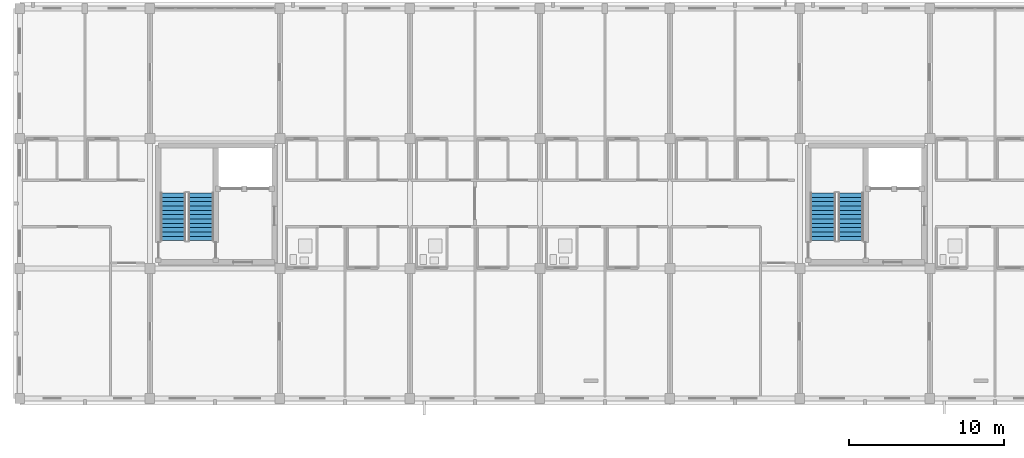
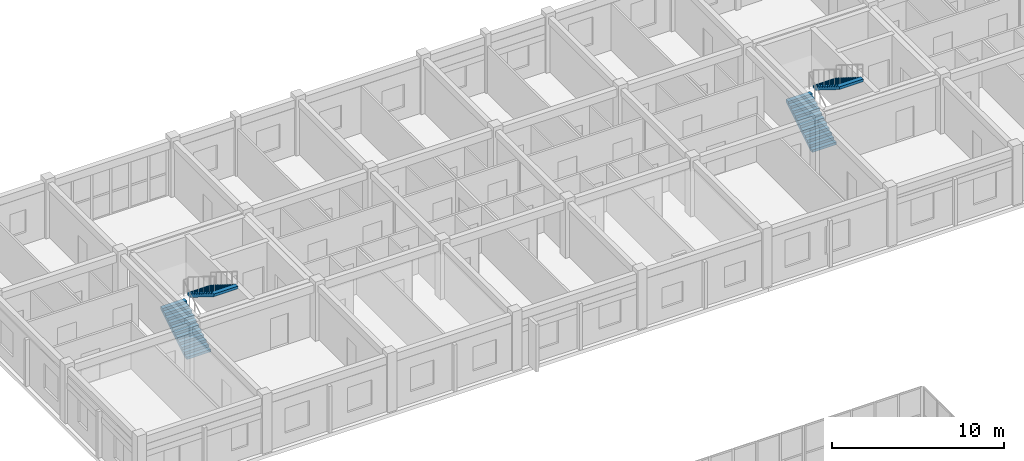
# One storey, part 74 of 81: 4 stair flights, 2 elements without a shape of their own.
"""IFC4 building model written with IfcOpenShell, lengths in metres."""

from ifc_helpers import new_model, si_unit, direction, frame, origin, place, context, subcontext, project, spatial, polyline, outline, extrude, material, type_object, element, aggregate, save


model = new_model("IFC4")

# Units and contexts
model_context = context("Model", 3, precision=1e-05, world=origin(), true_north=direction((0.0, 1.0)))
body_context = subcontext(model_context, "Body", "Model", "MODEL_VIEW")
ifc_project = project(units=[si_unit("LENGTHUNIT", "METRE"), si_unit("AREAUNIT", "SQUARE_METRE"), si_unit("VOLUMEUNIT", "CUBIC_METRE"), si_unit("PLANEANGLEUNIT", "RADIAN"), si_unit("MASSUNIT", "GRAM", prefix="KILO")], contexts=[model_context])

# Site, building, storey
site_placement = place(None, origin())
site = spatial("IfcSite", under=ifc_project, at=site_placement, CompositionType="ELEMENT")
building_placement = place(site_placement, origin())
building = spatial("IfcBuilding", under=site, at=building_placement, Name="Trelvath General Hospital", CompositionType="ELEMENT")
storey_placement = place(building_placement, frame((0.0, 0.0, 24.60009765625)))
storey = spatial("IfcBuildingStorey", under=building, at=storey_placement, Name="L06", CompositionType="ELEMENT", Elevation=24.60009765625)

# Stair, stair flights
ifc_material_1 = material(Name="Concrete C35/45", Category="concrete")
stair_type = type_object("IfcStairType", Name="Stair Stretcher420", PredefinedType="TWO_STRAIGHT_RUN_STAIR", material=ifc_material_1)
stair_1_placement = place(storey_placement, origin())
stair_1 = element("IfcStair", 1, at=stair_1_placement, inside=storey, type_object=stair_type, Name="Exit Stair ST1 L06", PredefinedType="TWO_STRAIGHT_RUN_STAIR")
ifc_material_2 = material(Name="Concrete C35/45", Category="concrete")
stair_flight_type = type_object("IfcStairFlightType", Name="Flight Stretcher420", PredefinedType="STRAIGHT", material=ifc_material_2)
stair_flight_1_placement = place(storey_placement, frame((43.5, 102.60009765625, 0.0), z_axis=(0.0, 0.0, 1.0), x_axis=(0.0, 1.0, 0.0)))
stair_flight_1 = element("IfcStairFlight", 2, at=stair_flight_1_placement, type_object=stair_flight_type, Name="ST1-L06 flight 1", NumberOfRisers=12, NumberOfTreads=11, PredefinedType="STRAIGHT", RiserHeight=0.175, TreadLength=0.28, context=body_context, shape_type="SweptSolid", body=[
    extrude(outline(polyline([(0.0, 0.0), (0.0, 0.175048828125), (0.280029296875, 0.175048828125), (0.280029296875, 0.35009765625), (0.56005859375, 0.35009765625), (0.56005859375, 0.52490234375), (0.840087890625, 0.52490234375), (0.840087890625, 0.699951171875), (1.1201171875, 0.699951171875), (1.1201171875, 0.875), (1.39990234375, 0.875), (1.39990234375, 1.050048828125), (1.679931640625, 1.050048828125), (1.679931640625, 1.22509765625), (1.9599609375, 1.22509765625), (1.9599609375, 1.39990234375), (2.239990234375, 1.39990234375), (2.239990234375, 1.574951171875), (2.52001953125, 1.574951171875), (2.52001953125, 1.75), (2.800048828125, 1.75), (2.800048828125, 1.925048828125), (3.080078125, 1.925048828125), (3.080078125, 2.10009765625), (3.080078125, 1.736328125), (0.3017578125, 0.0), (0.0, 0.0)])), frame((0.0, 0.81005859375, 0.0), z_axis=(0.0, -1.0, 0.0), x_axis=(1.0, 0.0, 0.0)), (0.0, 0.0, 1.0), 1.6201171875),
])
stair_flight_2_placement = place(storey_placement, frame((45.300048828125, 105.679931640625, 2.099853515625), z_axis=(0.0, 0.0, 1.0), x_axis=(0.0, -1.0, 0.0)))
stair_flight_2 = element("IfcStairFlight", 3, at=stair_flight_2_placement, type_object=stair_flight_type, Name="ST1-L06 flight 2", NumberOfRisers=12, NumberOfTreads=11, PredefinedType="STRAIGHT", RiserHeight=0.175, TreadLength=0.28, context=body_context, shape_type="SweptSolid", body=[
    extrude(outline(polyline([(0.0, 0.0), (0.0, 0.175048828125), (0.280029296875, 0.175048828125), (0.280029296875, 0.35009765625), (0.56005859375, 0.35009765625), (0.56005859375, 0.52490234375), (0.840087890625, 0.52490234375), (0.840087890625, 0.699951171875), (1.1201171875, 0.699951171875), (1.1201171875, 0.875), (1.39990234375, 0.875), (1.39990234375, 1.050048828125), (1.679931640625, 1.050048828125), (1.679931640625, 1.22509765625), (1.9599609375, 1.22509765625), (1.9599609375, 1.39990234375), (2.239990234375, 1.39990234375), (2.239990234375, 1.574951171875), (2.52001953125, 1.574951171875), (2.52001953125, 1.75), (2.800048828125, 1.75), (2.800048828125, 1.925048828125), (3.080078125, 1.925048828125), (3.080078125, 2.10009765625), (3.080078125, 1.736328125), (0.3017578125, 0.0), (0.0, 0.0)])), frame((0.0, 0.81005859375, 0.0), z_axis=(0.0, -1.0, 0.0), x_axis=(1.0, 0.0, 0.0)), (0.0, 0.0, 1.0), 1.6201171875),
])
aggregate(stair_1, [stair_flight_1, stair_flight_2])

stair_2_placement = place(storey_placement, origin())
stair_2 = element("IfcStair", 4, at=stair_2_placement, inside=storey, type_object=stair_type, Name="Exit Stair ST2 L06", PredefinedType="TWO_STRAIGHT_RUN_STAIR")
stair_flight_3_placement = place(storey_placement, frame((85.5, 102.60009765625, 0.0), z_axis=(0.0, 0.0, 1.0), x_axis=(0.0, 1.0, 0.0)))
stair_flight_3 = element("IfcStairFlight", 5, at=stair_flight_3_placement, type_object=stair_flight_type, Name="ST2-L06 flight 1", NumberOfRisers=12, NumberOfTreads=11, PredefinedType="STRAIGHT", RiserHeight=0.175, TreadLength=0.28, context=body_context, shape_type="SweptSolid", body=[
    extrude(outline(polyline([(0.0, 0.0), (0.0, 0.175048828125), (0.280029296875, 0.175048828125), (0.280029296875, 0.35009765625), (0.56005859375, 0.35009765625), (0.56005859375, 0.52490234375), (0.840087890625, 0.52490234375), (0.840087890625, 0.699951171875), (1.1201171875, 0.699951171875), (1.1201171875, 0.875), (1.39990234375, 0.875), (1.39990234375, 1.050048828125), (1.679931640625, 1.050048828125), (1.679931640625, 1.22509765625), (1.9599609375, 1.22509765625), (1.9599609375, 1.39990234375), (2.239990234375, 1.39990234375), (2.239990234375, 1.574951171875), (2.52001953125, 1.574951171875), (2.52001953125, 1.75), (2.800048828125, 1.75), (2.800048828125, 1.925048828125), (3.080078125, 1.925048828125), (3.080078125, 2.10009765625), (3.080078125, 1.736328125), (0.3017578125, 0.0), (0.0, 0.0)])), frame((0.0, 0.81005859375, 0.0), z_axis=(0.0, -1.0, 0.0), x_axis=(1.0, 0.0, 0.0)), (0.0, 0.0, 1.0), 1.6201171875),
])
stair_flight_4_placement = place(storey_placement, frame((87.300048828125, 105.679931640625, 2.099853515625), z_axis=(0.0, 0.0, 1.0), x_axis=(0.0, -1.0, 0.0)))
stair_flight_4 = element("IfcStairFlight", 6, at=stair_flight_4_placement, type_object=stair_flight_type, Name="ST2-L06 flight 2", NumberOfRisers=12, NumberOfTreads=11, PredefinedType="STRAIGHT", RiserHeight=0.175, TreadLength=0.28, context=body_context, shape_type="SweptSolid", body=[
    extrude(outline(polyline([(0.0, 0.0), (0.0, 0.175048828125), (0.280029296875, 0.175048828125), (0.280029296875, 0.35009765625), (0.56005859375, 0.35009765625), (0.56005859375, 0.52490234375), (0.840087890625, 0.52490234375), (0.840087890625, 0.699951171875), (1.1201171875, 0.699951171875), (1.1201171875, 0.875), (1.39990234375, 0.875), (1.39990234375, 1.050048828125), (1.679931640625, 1.050048828125), (1.679931640625, 1.22509765625), (1.9599609375, 1.22509765625), (1.9599609375, 1.39990234375), (2.239990234375, 1.39990234375), (2.239990234375, 1.574951171875), (2.52001953125, 1.574951171875), (2.52001953125, 1.75), (2.800048828125, 1.75), (2.800048828125, 1.925048828125), (3.080078125, 1.925048828125), (3.080078125, 2.10009765625), (3.080078125, 1.736328125), (0.3017578125, 0.0), (0.0, 0.0)])), frame((0.0, 0.81005859375, 0.0), z_axis=(0.0, -1.0, 0.0), x_axis=(1.0, 0.0, 0.0)), (0.0, 0.0, 1.0), 1.6201171875),
])
aggregate(stair_2, [stair_flight_3, stair_flight_4])

save(model, "model.ifc")
